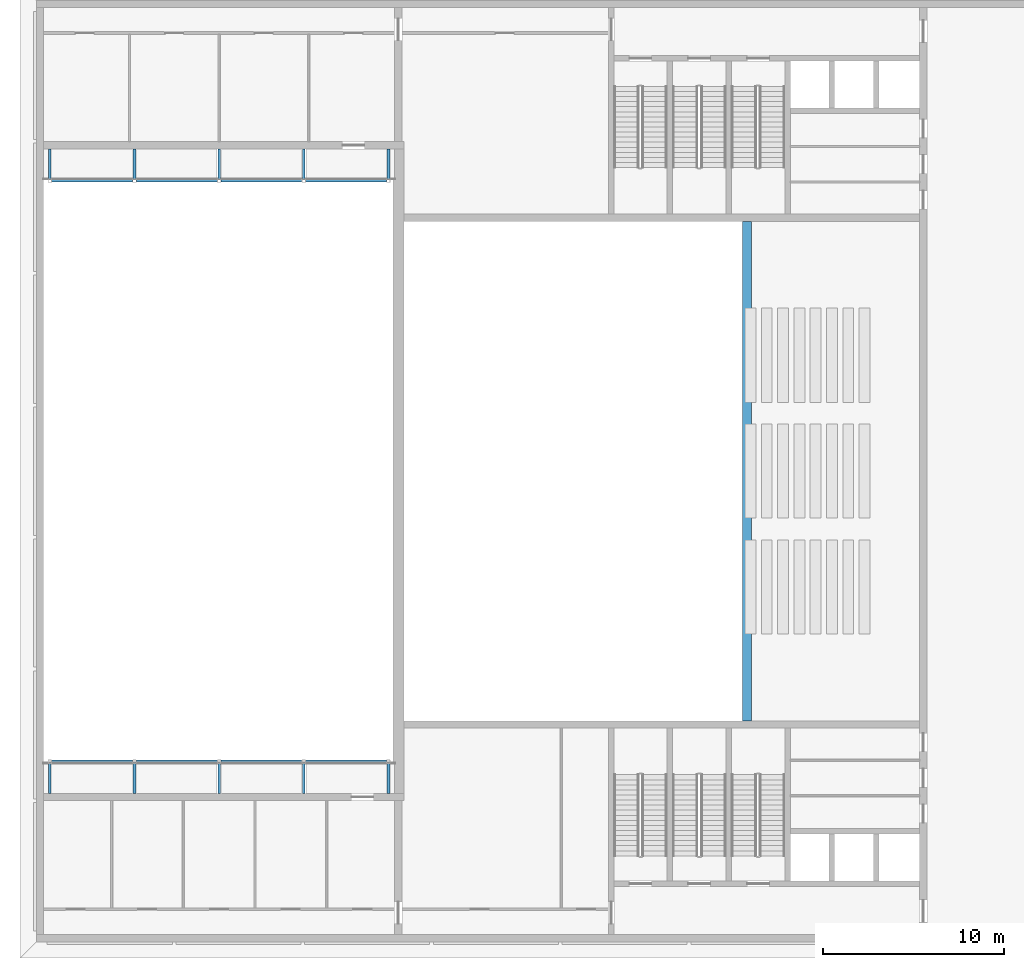
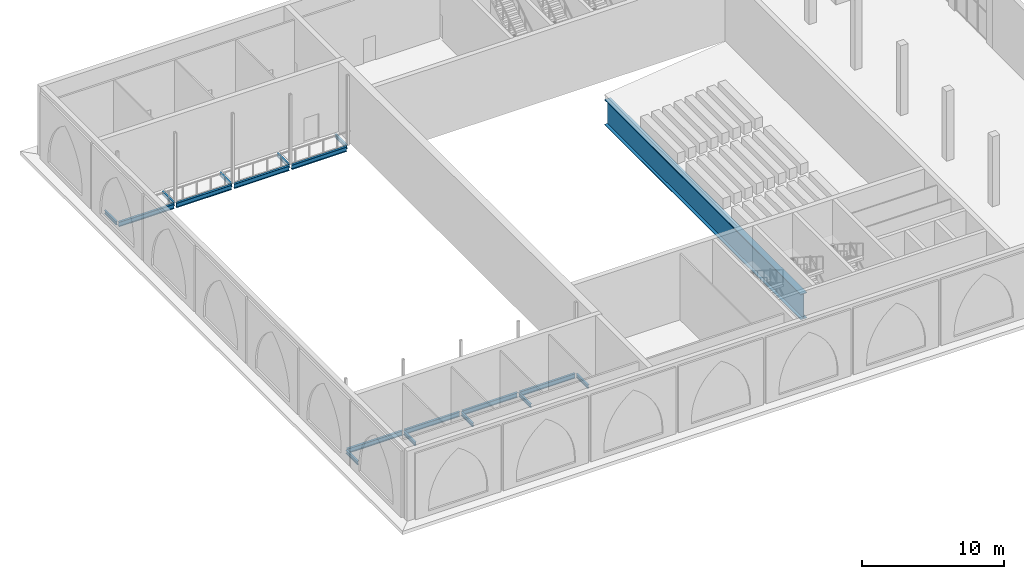
# One storey, part 6 of 74: 19 beams.
"""IFC4 building model written with IfcOpenShell, lengths in metres."""

from ifc_helpers import new_model, si_unit, direction, frame, origin, origin_2d, place, context, subcontext, project, spatial, i_section, extrude, material, material_profile, profile_set, type_object, element, save


model = new_model("IFC4")

# Units and contexts
model_context = context("Model", 3, precision=1e-05, world=origin(), true_north=direction((0.0, 1.0)))
body_context = subcontext(model_context, "Body", "Model", "MODEL_VIEW")
ifc_project = project(units=[si_unit("LENGTHUNIT", "METRE"), si_unit("AREAUNIT", "SQUARE_METRE"), si_unit("VOLUMEUNIT", "CUBIC_METRE"), si_unit("PLANEANGLEUNIT", "RADIAN"), si_unit("MASSUNIT", "GRAM", prefix="KILO")], contexts=[model_context])

# Site, building, storey
site_placement = place(None, origin())
site = spatial("IfcSite", under=ifc_project, at=site_placement, CompositionType="ELEMENT")
building_placement = place(site_placement, origin())
building = spatial("IfcBuilding", under=site, at=building_placement, Name="Noorbagh Ring Tower", CompositionType="ELEMENT")
storey_placement = place(building_placement, frame((0.0, 0.0, 7.5)))
storey = spatial("IfcBuildingStorey", under=building, at=storey_placement, Name="L01", CompositionType="ELEMENT", Elevation=7.5)

# Beams
ifc_material_1 = material(Name="Steel S355", Category="steel")
ifc_material_profile_1 = material_profile(ifc_material_1, i_section(OverallWidth=0.179931640625, OverallDepth=0.39990234375, WebThickness=0.008544921875, FlangeThickness=0.013427734375, FilletRadius=0.02099609375, at=origin_2d()), Name="IPE400")
ifc_profile_set_1 = profile_set([ifc_material_profile_1], Name="Steel S355")
beam_type_1 = type_object("IfcBeamType", Name="TH-GALLERY-BEAM", PredefinedType="BEAM", material=ifc_profile_set_1)
beam_1_placement = place(storey_placement, frame((-159.14990234375, -11.050048828125, -0.280029296875), z_axis=(1.0, 0.0, 0.0), x_axis=(0.0, 1.0, 0.0)))
element("IfcBeam", 1, at=beam_1_placement, inside=storey, type_object=beam_type_1, Name="L01/th-bm/gal-S-e0", PredefinedType="BEAM", context=body_context, shape_type="SweptSolid", body=[
    extrude(i_section(OverallWidth=0.179931640625, OverallDepth=0.39990234375, WebThickness=0.008544921875, FlangeThickness=0.013427734375, FilletRadius=0.02099609375, at=origin_2d()), origin(), (0.0, 0.0, 1.0), 4.474853515625),
])
for number, where, z_axis, x_axis, name in (
    (2, (-154.47509765625, -11.050048828125, -0.280029296875), (1.0, 0.0, 0.0), (0.0, 1.0, 0.0), "L01/th-bm/gal-S-e1"),
    (3, (-149.800048828125, -11.050048828125, -0.280029296875), (1.0, 0.0, 0.0), (0.0, 1.0, 0.0), "L01/th-bm/gal-S-e2"),
    (4, (-145.125, -11.050048828125, -0.280029296875), (1.0, 0.0, 0.0), (0.0, 1.0, 0.0), "L01/th-bm/gal-S-e3"),
):
    element("IfcBeam", number, at=place(storey_placement, frame(where, z_axis=z_axis, x_axis=x_axis)), inside=storey, type_object=beam_type_1, Name=name, PredefinedType="BEAM", context=body_context, shape_type="SweptSolid", body=[
        extrude(i_section(OverallWidth=0.179931640625, OverallDepth=0.39990234375, WebThickness=0.008544921875, FlangeThickness=0.013427734375, FilletRadius=0.02099609375, at=origin_2d()), origin(), (0.0, 0.0, 1.0), 4.47509765625),
    ])
beam_2_placement = place(storey_placement, frame((-159.14990234375, 21.050048828125, -0.280029296875), z_axis=(1.0, 0.0, 0.0), x_axis=(0.0, 1.0, 0.0)))
element("IfcBeam", 5, at=beam_2_placement, inside=storey, type_object=beam_type_1, Name="L01/th-bm/gal-N-e0", PredefinedType="BEAM", context=body_context, shape_type="SweptSolid", body=[
    extrude(i_section(OverallWidth=0.179931640625, OverallDepth=0.39990234375, WebThickness=0.008544921875, FlangeThickness=0.013427734375, FilletRadius=0.02099609375, at=origin_2d()), origin(), (0.0, 0.0, 1.0), 4.474853515625),
])
for number, where, z_axis, x_axis, name in (
    (6, (-154.47509765625, 21.050048828125, -0.280029296875), (1.0, 0.0, 0.0), (0.0, 1.0, 0.0), "L01/th-bm/gal-N-e1"),
    (7, (-149.800048828125, 21.050048828125, -0.280029296875), (1.0, 0.0, 0.0), (0.0, 1.0, 0.0), "L01/th-bm/gal-N-e2"),
    (8, (-145.125, 21.050048828125, -0.280029296875), (1.0, 0.0, 0.0), (0.0, 1.0, 0.0), "L01/th-bm/gal-N-e3"),
):
    element("IfcBeam", number, at=place(storey_placement, frame(where, z_axis=z_axis, x_axis=x_axis)), inside=storey, type_object=beam_type_1, Name=name, PredefinedType="BEAM", context=body_context, shape_type="SweptSolid", body=[
        extrude(i_section(OverallWidth=0.179931640625, OverallDepth=0.39990234375, WebThickness=0.008544921875, FlangeThickness=0.013427734375, FilletRadius=0.02099609375, at=origin_2d()), origin(), (0.0, 0.0, 1.0), 4.47509765625),
    ])
ifc_material_2 = material(Name="Steel S355", Category="steel")
ifc_material_profile_2 = material_profile(ifc_material_2, i_section(OverallWidth=0.14990234375, OverallDepth=0.300048828125, WebThickness=0.007080078125, FlangeThickness=0.0107421875, FilletRadius=0.014892578125, at=origin_2d()), Name="IPE300")
ifc_profile_set_2 = profile_set([ifc_material_profile_2], Name="Steel S355")
beam_type_2 = type_object("IfcBeamType", Name="TH-GALLERY-CROSS", PredefinedType="BEAM", material=ifc_profile_set_2)
for number, where, z_axis, x_axis, name in (
    (9, (-159.25, -12.800048828125, -0.22998046875), (0.0, 1.0, 0.0), (-1.0, 0.0, 0.0), "L01/th-bm/gal-S-x0"),
    (10, (-154.574951171875, -12.800048828125, -0.22998046875), (0.0, 1.0, 0.0), (-1.0, 0.0, 0.0), "L01/th-bm/gal-S-x1"),
    (11, (-149.89990234375, -12.800048828125, -0.22998046875), (0.0, 1.0, 0.0), (-1.0, 0.0, 0.0), "L01/th-bm/gal-S-x2"),
    (12, (-145.22509765625, -12.800048828125, -0.22998046875), (0.0, 1.0, 0.0), (-1.0, 0.0, 0.0), "L01/th-bm/gal-S-x3"),
    (13, (-140.550048828125, -12.800048828125, -0.22998046875), (0.0, 1.0, 0.0), (-1.0, 0.0, 0.0), "L01/th-bm/gal-S-x4"),
    (14, (-159.25, 22.800048828125, -0.22998046875), (0.0, -1.0, 0.0), (1.0, 0.0, 0.0), "L01/th-bm/gal-N-x0"),
    (15, (-154.574951171875, 22.800048828125, -0.22998046875), (0.0, -1.0, 0.0), (1.0, 0.0, 0.0), "L01/th-bm/gal-N-x1"),
    (16, (-149.89990234375, 22.800048828125, -0.22998046875), (0.0, -1.0, 0.0), (1.0, 0.0, 0.0), "L01/th-bm/gal-N-x2"),
    (17, (-145.22509765625, 22.800048828125, -0.22998046875), (0.0, -1.0, 0.0), (1.0, 0.0, 0.0), "L01/th-bm/gal-N-x3"),
    (18, (-140.550048828125, 22.800048828125, -0.22998046875), (0.0, -1.0, 0.0), (1.0, 0.0, 0.0), "L01/th-bm/gal-N-x4"),
):
    element("IfcBeam", number, at=place(storey_placement, frame(where, z_axis=z_axis, x_axis=x_axis)), inside=storey, type_object=beam_type_2, Name=name, PredefinedType="BEAM", context=body_context, shape_type="SweptSolid", body=[
        extrude(i_section(OverallWidth=0.14990234375, OverallDepth=0.300048828125, WebThickness=0.007080078125, FlangeThickness=0.0107421875, FilletRadius=0.014892578125, at=origin_2d()), origin(), (0.0, 0.0, 1.0), 1.650146484375),
    ])
ifc_material_3 = material(Name="Steel S355", Category="steel")
ifc_material_profile_3 = material_profile(ifc_material_3, i_section(OverallWidth=0.5, OverallDepth=2.199951171875, WebThickness=0.030029296875, FlangeThickness=0.06005859375, at=origin_2d()), Name="PG2200x500x30x60")
ifc_profile_set_3 = profile_set([ifc_material_profile_3], Name="Steel S355")
beam_type_3 = type_object("IfcBeamType", Name="TH-GIRDER-CIRCLE", PredefinedType="BEAM", material=ifc_profile_set_3)
beam_3_placement = place(storey_placement, frame((-120.75, -8.800048828125, -2.667236328125), z_axis=(0.0, 1.0, 0.0), x_axis=(-1.0, 0.0, 0.0)))
element("IfcBeam", 19, at=beam_3_placement, inside=storey, type_object=beam_type_3, Name="L01/th-bm/circle-front", PredefinedType="BEAM", context=body_context, shape_type="SweptSolid", body=[
    extrude(i_section(OverallWidth=0.5, OverallDepth=2.199951171875, WebThickness=0.030029296875, FlangeThickness=0.06005859375, at=origin_2d()), origin(), (0.0, 0.0, 1.0), 27.60009765625),
])

save(model, "model.ifc")
